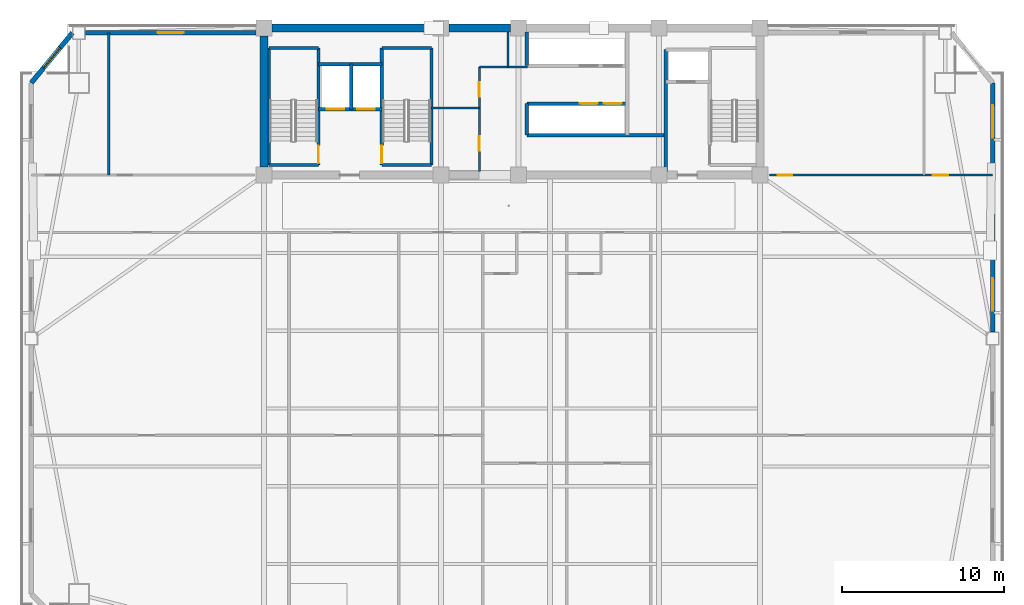
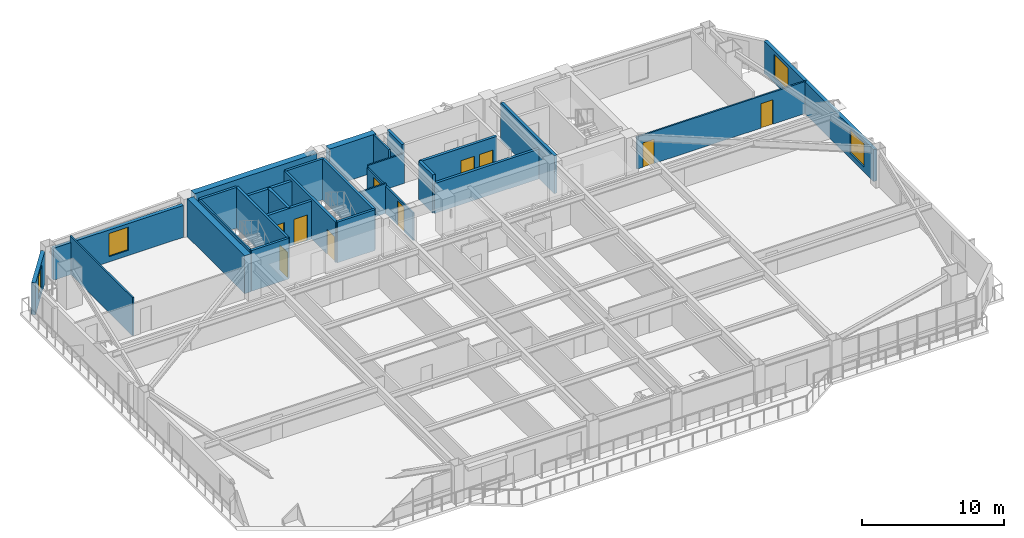
# One storey, part 9 of 15: 28 walls, 10 doors, 4 windows, 14 openings.
"""IFC4 building model written with IfcOpenShell, lengths in metres."""

from ifc_helpers import new_model, si_unit, direction, frame, frame_2d, origin, place, context, subcontext, project, spatial, rectangle, extrude, source, transform, mapped, material, layer, layer_set, type_object, element, fill, save


model = new_model("IFC4")

# Units and contexts
model_context = context("Model", 3, precision=1e-05, world=origin(), true_north=direction((0.0, 1.0)))
body_context = subcontext(model_context, "Body", "Model", "MODEL_VIEW")
ifc_project = project(units=[si_unit("LENGTHUNIT", "METRE"), si_unit("AREAUNIT", "SQUARE_METRE"), si_unit("VOLUMEUNIT", "CUBIC_METRE"), si_unit("PLANEANGLEUNIT", "RADIAN"), si_unit("MASSUNIT", "GRAM", prefix="KILO")], contexts=[model_context])

# Site, building, storey
site_placement = place(None, origin())
site = spatial("IfcSite", under=ifc_project, at=site_placement, CompositionType="ELEMENT")
building_placement = place(site_placement, origin())
building = spatial("IfcBuilding", under=site, at=building_placement, Name="Giltprow Tower", CompositionType="ELEMENT")
storey_placement = place(building_placement, frame((0.0, 0.0, 152.699951171875)))
storey = spatial("IfcBuildingStorey", under=building, at=storey_placement, Name="L37", CompositionType="ELEMENT", Elevation=152.699951171875)

# Wall, opening, window
ifc_material_1 = material(Name="Precast concrete C40", Category="concrete")
ifc_layer_1 = layer(ifc_material_1, 0.300048828125, Name="Precast concrete C40")
ifc_layer_set_1 = layer_set([ifc_layer_1], Name="Precast concrete C40")
wall_type_1 = type_object("IfcWallType", Name="EW-NOTCH-CHAMFER-300", PredefinedType="SOLIDWALL", material=ifc_layer_set_1)
wall_1_placement = place(storey_placement, frame((7.988037109375, 46.25, 0.0), z_axis=(0.0, 0.0, 1.0), x_axis=(-0.634975058906, -0.772532636571, 0.0)))
wall_1 = element("IfcWall", 1, at=wall_1_placement, inside=storey, type_object=wall_type_1, Name="L37 Corner Notch Wall NW", PredefinedType="SOLIDWALL", context=body_context, shape_type="SweptSolid", body=[
    extrude(rectangle(XDim=3.998779296875, YDim=0.300048828125, at=frame_2d((1.99951171875, 0.0))), origin(), (0.0, 0.0, 1.0), 2.75),
])
opening_1_placement = place(wall_1_placement, frame((1.198974609375, 0.0, 0.449951171875)))
opening_1 = element("IfcOpeningElement", 2, at=opening_1_placement, cuts=wall_1, Name="Opening WN17", PredefinedType="OPENING", context=body_context, shape_type="SweptSolid", body=[
    extrude(rectangle(XDim=1.60009765625, YDim=2.0, at=frame_2d((0.800048828125, 1.0))), frame((0.0, 0.159912109375, 0.0), z_axis=(0.0, -1.0, 0.0), x_axis=(1.0, 0.0, 0.0)), (0.0, 0.0, 1.0), 0.320068359375),
])
ifc_material_2 = material(Name="Insulated glass", Category="glass")
window_type_1 = type_object("IfcWindowType", Name="WN-COR-1600x2000", PartitioningType="SINGLE_PANEL", PredefinedType="WINDOW", material=ifc_material_2)
shared_shape_1 = source(origin(), body_context, "Body", "SweptSolid", [
    extrude(rectangle(XDim=1.60009765625, YDim=2.0, at=frame_2d((0.800048828125, 1.0))), frame((0.0, 0.030029296875, 0.0), z_axis=(0.0, -1.0, 0.0), x_axis=(1.0, 0.0, 0.0)), (0.0, 0.0, 1.0), 0.06005859375),
])
window_1_placement = place(opening_1_placement, origin())
window_1 = element("IfcWindow", 3, at=window_1_placement, inside=storey, type_object=window_type_1, Name="L37 Corner Notch Window NW", OverallHeight=2.0, OverallWidth=1.60009765625, PartitioningType="SINGLE_PANEL", PredefinedType="WINDOW", context=body_context, shape_type="MappedRepresentation", body=[
    mapped(shared_shape_1, transform((0.0, 0.0, 0.0), x_axis=(1.0, 0.0, 0.0), y_axis=(0.0, 1.0, 0.0), z_axis=(0.0, 0.0, 1.0), scale=1.0)),
])
fill(opening_1, window_1)

# Wall, openings, windows
ifc_layer_2 = layer(ifc_material_1, 0.280029296875, Name="Precast concrete C40")
ifc_layer_set_2 = layer_set([ifc_layer_2], Name="Precast concrete C40")
wall_type_2 = type_object("IfcWallType", Name="EW-TOW-BRONZE-280", PredefinedType="SOLIDWALL", material=ifc_layer_set_2)
wall_2_placement = place(storey_placement, frame((64.950927734375, 27.736083984375, 0.0), z_axis=(0.0, 0.0, 1.0), x_axis=(0.0, 1.0, 0.0)))
wall_2 = element("IfcWall", 4, at=wall_2_placement, inside=storey, type_object=wall_type_2, Name="L37 E Wing Masonry Wall 2", PredefinedType="SOLIDWALL", context=body_context, shape_type="SweptSolid", body=[
    extrude(rectangle(XDim=15.4248046875, YDim=0.280029296875, at=frame_2d((7.71240234375, 0.0))), origin(), (0.0, 0.0, 1.0), 2.75),
])
opening_2_placement = place(wall_2_placement, frame((1.324951171875, 0.0, 0.449951171875)))
opening_2 = element("IfcOpeningElement", 5, at=opening_2_placement, cuts=wall_2, Name="Opening WN21", PredefinedType="OPENING", context=body_context, shape_type="SweptSolid", body=[
    extrude(rectangle(XDim=2.0, YDim=2.0, at=frame_2d((1.0, 1.0))), frame((0.0, 0.14990234375, 0.0), z_axis=(0.0, -1.0, 0.0), x_axis=(1.0, 0.0, 0.0)), (0.0, 0.0, 1.0), 0.300048828125),
])
opening_3_placement = place(wall_2_placement, frame((12.031005859375, 0.0, 0.449951171875)))
opening_3 = element("IfcOpeningElement", 6, at=opening_3_placement, cuts=wall_2, Name="Opening WN21", PredefinedType="OPENING", context=body_context, shape_type="SweptSolid", body=[
    extrude(rectangle(XDim=2.0, YDim=2.0, at=frame_2d((1.0, 1.0))), frame((0.0, 0.14990234375, 0.0), z_axis=(0.0, -1.0, 0.0), x_axis=(1.0, 0.0, 0.0)), (0.0, 0.0, 1.0), 0.300048828125),
])
window_type_2 = type_object("IfcWindowType", Name="WN-HTL-2000x2000", PartitioningType="DOUBLE_PANEL_VERTICAL", PredefinedType="WINDOW", material=ifc_material_2)
shared_shape_2 = source(origin(), body_context, "Body", "SweptSolid", [
    extrude(rectangle(XDim=2.0, YDim=2.0, at=frame_2d((1.0, 1.0))), frame((0.0, 0.030029296875, 0.0), z_axis=(0.0, -1.0, 0.0), x_axis=(1.0, 0.0, 0.0)), (0.0, 0.0, 1.0), 0.06005859375),
])
window_2_placement = place(opening_2_placement, origin())
window_2 = element("IfcWindow", 7, at=window_2_placement, inside=storey, type_object=window_type_2, Name="L37 E Wing Window 2-1", OverallHeight=2.0, OverallWidth=2.0, PartitioningType="SINGLE_PANEL", PredefinedType="WINDOW", context=body_context, shape_type="MappedRepresentation", body=[
    mapped(shared_shape_2, transform((0.0, 0.0, 0.0), x_axis=(1.0, 0.0, 0.0), y_axis=(0.0, 1.0, 0.0), z_axis=(0.0, 0.0, 1.0), scale=1.0)),
])
fill(opening_2, window_2)
window_3_placement = place(opening_3_placement, origin())
window_3 = element("IfcWindow", 8, at=window_3_placement, inside=storey, type_object=window_type_2, Name="L37 E Wing Window 2-2", OverallHeight=2.0, OverallWidth=2.0, PartitioningType="SINGLE_PANEL", PredefinedType="WINDOW", context=body_context, shape_type="MappedRepresentation", body=[
    mapped(shared_shape_2, transform((0.0, 0.0, 0.0), x_axis=(1.0, 0.0, 0.0), y_axis=(0.0, 1.0, 0.0), z_axis=(0.0, 0.0, 1.0), scale=1.0)),
])
fill(opening_3, window_3)

# Wall, opening, window
wall_3_placement = place(storey_placement, frame((8.7880859375, 46.25, 0.0), z_axis=(0.0, 0.0, 1.0), x_axis=(1.0, 0.0, 0.0)))
wall_3 = element("IfcWall", 9, at=wall_3_placement, inside=storey, type_object=wall_type_2, Name="L37 North-West Wing Wall", PredefinedType="SOLIDWALL", context=body_context, shape_type="SweptSolid", body=[
    extrude(rectangle(XDim=10.56201171875, YDim=0.280029296875, at=frame_2d((5.281005859375, 0.0))), origin(), (0.0, 0.0, 1.0), 2.75),
])
opening_4_placement = place(wall_3_placement, frame((4.48095703125, 0.0, 0.449951171875)))
opening_4 = element("IfcOpeningElement", 10, at=opening_4_placement, cuts=wall_3, Name="Opening WN17", PredefinedType="OPENING", context=body_context, shape_type="SweptSolid", body=[
    extrude(rectangle(XDim=1.60009765625, YDim=2.0, at=frame_2d((0.800048828125, 1.0))), frame((0.0, 0.14990234375, 0.0), z_axis=(0.0, -1.0, 0.0), x_axis=(1.0, 0.0, 0.0)), (0.0, 0.0, 1.0), 0.300048828125),
])
window_4_placement = place(opening_4_placement, origin())
window_4 = element("IfcWindow", 11, at=window_4_placement, inside=storey, type_object=window_type_1, Name="L37 North-West Window", OverallHeight=2.0, OverallWidth=1.60009765625, PartitioningType="SINGLE_PANEL", PredefinedType="WINDOW", context=body_context, shape_type="MappedRepresentation", body=[
    mapped(shared_shape_1, transform((0.0, 0.0, 0.0), x_axis=(1.0, 0.0, 0.0), y_axis=(0.0, 1.0, 0.0), z_axis=(0.0, 0.0, 1.0), scale=1.0)),
])
fill(opening_4, window_4)

# Wall, openings, doors
ifc_material_3 = material(Name="Concrete C40", Category="concrete")
ifc_layer_3 = layer(ifc_material_3, 0.219970703125, Name="Concrete C40")
ifc_layer_set_3 = layer_set([ifc_layer_3], Name="Concrete C40")
wall_type_3 = type_object("IfcWallType", Name="IW-SHAFT-220", PredefinedType="SOLIDWALL", material=ifc_layer_set_3)
wall_4_placement = place(storey_placement, frame((23.219970703125, 41.52001953125, 0.0), z_axis=(0.0, 0.0, 1.0), x_axis=(1.0, 0.0, 0.0)))
wall_4 = element("IfcWall", 12, at=wall_4_placement, inside=storey, type_object=wall_type_3, Name="L37 FFL1 and Service Lift Front Wall", PredefinedType="SOLIDWALL", context=body_context, shape_type="SweptSolid", body=[
    extrude(rectangle(XDim=3.919921875, YDim=0.219970703125, at=frame_2d((1.9599609375, 0.0))), origin(), (0.0, 0.0, 1.0), 3.27001953125),
])
opening_5_placement = place(wall_4_placement, frame((0.5, 0.0, 0.0)))
opening_5 = element("IfcOpeningElement", 13, at=opening_5_placement, cuts=wall_4, Name="Opening LD-11", PredefinedType="OPENING", context=body_context, shape_type="SweptSolid", body=[
    extrude(rectangle(XDim=1.10009765625, YDim=2.199951171875, at=frame_2d((0.550048828125, 1.10009765625))), frame((0.0, 0.119873046875, 0.0), z_axis=(0.0, -1.0, 0.0), x_axis=(1.0, 0.0, 0.0)), (0.0, 0.0, 1.0), 0.239990234375),
])
opening_6_placement = place(wall_4_placement, frame((2.39990234375, 0.0, 0.0)))
opening_6 = element("IfcOpeningElement", 14, at=opening_6_placement, cuts=wall_4, Name="Opening LD-11", PredefinedType="OPENING", context=body_context, shape_type="SweptSolid", body=[
    extrude(rectangle(XDim=1.10009765625, YDim=2.199951171875, at=frame_2d((0.550048828125, 1.10009765625))), frame((0.0, 0.119873046875, 0.0), z_axis=(0.0, -1.0, 0.0), x_axis=(1.0, 0.0, 0.0)), (0.0, 0.0, 1.0), 0.239990234375),
])
ifc_material_4 = material(Name="Stainless steel", Category="steel")
door_type_1 = type_object("IfcDoorType", Name="DR-LIFT-LD1100", OperationType="SLIDING_TO_LEFT", PredefinedType="DOOR", material=ifc_material_4)
shared_shape_3 = source(origin(), body_context, "Body", "SweptSolid", [
    extrude(rectangle(XDim=1.10009765625, YDim=2.199951171875, at=frame_2d((0.550048828125, 1.10009765625))), frame((0.0, 0.02490234375, 0.0), z_axis=(0.0, -1.0, 0.0), x_axis=(1.0, 0.0, 0.0)), (0.0, 0.0, 1.0), 0.050048828125),
])
door_1_placement = place(opening_5_placement, origin())
door_1 = element("IfcDoor", 15, at=door_1_placement, inside=storey, type_object=door_type_1, Name="L37 FFL1 Landing Door", OperationType="SLIDING_TO_LEFT", OverallHeight=2.199951171875, OverallWidth=1.10009765625, PredefinedType="DOOR", context=body_context, shape_type="MappedRepresentation", body=[
    mapped(shared_shape_3, transform((0.0, 0.0, 0.0), x_axis=(1.0, 0.0, 0.0), y_axis=(0.0, 1.0, 0.0), z_axis=(0.0, 0.0, 1.0), scale=1.0)),
])
fill(opening_5, door_1)
door_2_placement = place(opening_6_placement, origin())
door_2 = element("IfcDoor", 16, at=door_2_placement, inside=storey, type_object=door_type_1, Name="L37 SVL1 Landing Door", OperationType="SLIDING_TO_LEFT", OverallHeight=2.199951171875, OverallWidth=1.10009765625, PredefinedType="DOOR", context=body_context, shape_type="MappedRepresentation", body=[
    mapped(shared_shape_3, transform((0.0, 0.0, 0.0), x_axis=(1.0, 0.0, 0.0), y_axis=(0.0, 1.0, 0.0), z_axis=(0.0, 0.0, 1.0), scale=1.0)),
])
fill(opening_6, door_2)

# Walls
wall_5_placement = place(storey_placement, frame((25.260009765625, 41.52001953125, 0.0), z_axis=(0.0, 0.0, 1.0), x_axis=(0.0, 1.0, 0.0)))
element("IfcWall", 17, at=wall_5_placement, inside=storey, type_object=wall_type_3, Name="L37 FFL1-SVL1 Shaft Divider", PredefinedType="SOLIDWALL", context=body_context, shape_type="SweptSolid", body=[
    extrude(rectangle(XDim=2.800048828125, YDim=0.219970703125, at=frame_2d((1.39990234375, 0.0))), origin(), (0.0, 0.0, 1.0), 3.27001953125),
])
wall_6_placement = place(storey_placement, frame((23.219970703125, 44.320068359375, 0.0), z_axis=(0.0, 0.0, 1.0), x_axis=(1.0, 0.0, 0.0)))
element("IfcWall", 18, at=wall_6_placement, inside=storey, type_object=wall_type_3, Name="L37 FFL1-SVL1 Back Shaft Wall", PredefinedType="SOLIDWALL", context=body_context, shape_type="SweptSolid", body=[
    extrude(rectangle(XDim=3.919921875, YDim=0.219970703125, at=frame_2d((1.9599609375, 0.0))), origin(), (0.0, 0.0, 1.0), 3.27001953125),
])
wall_7_placement = place(storey_placement, frame((44.719970703125, 37.679931640625, 0.0), z_axis=(0.0, 0.0, 1.0), x_axis=(0.0, 1.0, 0.0)))
element("IfcWall", 19, at=wall_7_placement, inside=storey, type_object=wall_type_3, Name="L37 East Firefighting Lobby West Wall", PredefinedType="SOLIDWALL", context=body_context, shape_type="SweptSolid", body=[
    extrude(rectangle(XDim=7.5400390625, YDim=0.219970703125, at=frame_2d((3.77001953125, 0.0))), origin(), (0.0, 0.0, 1.0), 3.27001953125),
])

# Wall, openings, doors
wall_8_placement = place(storey_placement, frame((36.1201171875, 41.8798828125, 0.0), z_axis=(0.0, 0.0, 1.0), x_axis=(1.0, 0.0, 0.0)))
wall_8 = element("IfcWall", 20, at=wall_8_placement, inside=storey, type_object=wall_type_3, Name="L37 Mid-Rise Lift Shaft Front Wall S", PredefinedType="SOLIDWALL", context=body_context, shape_type="SweptSolid", body=[
    extrude(rectangle(XDim=6.199951171875, YDim=0.219970703125, at=frame_2d((3.10009765625, 0.0))), origin(), (0.0, 0.0, 1.0), 3.27001953125),
])
opening_7_placement = place(wall_8_placement, frame((3.280029296875, 0.0, 0.0)))
opening_7 = element("IfcOpeningElement", 21, at=opening_7_placement, cuts=wall_8, Name="Opening LD-11", PredefinedType="OPENING", context=body_context, shape_type="SweptSolid", body=[
    extrude(rectangle(XDim=1.10009765625, YDim=2.199951171875, at=frame_2d((0.550048828125, 1.10009765625))), frame((0.0, 0.119873046875, 0.0), z_axis=(0.0, -1.0, 0.0), x_axis=(1.0, 0.0, 0.0)), (0.0, 0.0, 1.0), 0.239990234375),
])
opening_8_placement = place(wall_8_placement, frame((4.77001953125, 0.0, 0.0)))
opening_8 = element("IfcOpeningElement", 22, at=opening_8_placement, cuts=wall_8, Name="Opening LD-11", PredefinedType="OPENING", context=body_context, shape_type="SweptSolid", body=[
    extrude(rectangle(XDim=1.10009765625, YDim=2.199951171875, at=frame_2d((0.550048828125, 1.10009765625))), frame((0.0, 0.119873046875, 0.0), z_axis=(0.0, -1.0, 0.0), x_axis=(1.0, 0.0, 0.0)), (0.0, 0.0, 1.0), 0.239990234375),
])
door_3_placement = place(opening_7_placement, origin())
door_3 = element("IfcDoor", 23, at=door_3_placement, inside=storey, type_object=door_type_1, Name="L37 PL-M3 Landing Door", OperationType="SLIDING_TO_LEFT", OverallHeight=2.199951171875, OverallWidth=1.10009765625, PredefinedType="DOOR", context=body_context, shape_type="MappedRepresentation", body=[
    mapped(shared_shape_3, transform((0.0, 0.0, 0.0), x_axis=(1.0, 0.0, 0.0), y_axis=(0.0, 1.0, 0.0), z_axis=(0.0, 0.0, 1.0), scale=1.0)),
])
fill(opening_7, door_3)
door_4_placement = place(opening_8_placement, origin())
door_4 = element("IfcDoor", 24, at=door_4_placement, inside=storey, type_object=door_type_1, Name="L37 PL-M4 Landing Door", OperationType="SLIDING_TO_LEFT", OverallHeight=2.199951171875, OverallWidth=1.10009765625, PredefinedType="DOOR", context=body_context, shape_type="MappedRepresentation", body=[
    mapped(shared_shape_3, transform((0.0, 0.0, 0.0), x_axis=(1.0, 0.0, 0.0), y_axis=(0.0, 1.0, 0.0), z_axis=(0.0, 0.0, 1.0), scale=1.0)),
])
fill(opening_8, door_4)

# Walls
wall_9_placement = place(storey_placement, frame((36.1201171875, 39.919921875, 0.0), z_axis=(0.0, 0.0, 1.0), x_axis=(1.0, 0.0, 0.0)))
element("IfcWall", 25, at=wall_9_placement, inside=storey, type_object=wall_type_3, Name="L37 Mid-Rise South Lift Back Wall", PredefinedType="SOLIDWALL", context=body_context, shape_type="SweptSolid", body=[
    extrude(rectangle(XDim=8.599853515625, YDim=0.219970703125, at=frame_2d((4.2998046875, 0.0))), origin(), (0.0, 0.0, 1.0), 2.554931640625),
])
wall_10_placement = place(storey_placement, frame((36.1201171875, 39.919921875, 0.0), z_axis=(0.0, 0.0, 1.0), x_axis=(0.0, 1.0, 0.0)))
element("IfcWall", 26, at=wall_10_placement, inside=storey, type_object=wall_type_3, Name="L37 Mid-Rise South Lift West Closure", PredefinedType="SOLIDWALL", context=body_context, shape_type="SweptSolid", body=[
    extrude(rectangle(XDim=1.9599609375, YDim=0.219970703125, at=frame_2d((0.97998046875, 0.0))), origin(), (0.0, 0.0, 1.0), 3.27001953125),
])
wall_11_placement = place(storey_placement, frame((36.1201171875, 44.219970703125, 0.0), z_axis=(0.0, 0.0, 1.0), x_axis=(0.0, 1.0, 0.0)))
element("IfcWall", 27, at=wall_11_placement, inside=storey, type_object=wall_type_3, Name="L37 Mid-Rise North Lift West Closure", PredefinedType="SOLIDWALL", context=body_context, shape_type="SweptSolid", body=[
    extrude(rectangle(XDim=2.10009765625, YDim=0.219970703125, at=frame_2d((1.050048828125, 0.0))), origin(), (0.0, 0.0, 1.0), 3.27001953125),
])
ifc_material_5 = material(Name="Concrete C45", Category="concrete")
ifc_layer_4 = layer(ifc_material_5, 0.139892578125, Name="Concrete C45")
ifc_layer_set_4 = layer_set([ifc_layer_4], Name="Concrete C45")
wall_type_4 = type_object("IfcWallType", Name="IW-STAIR-140", PredefinedType="SOLIDWALL", material=ifc_layer_set_4)
wall_12_placement = place(storey_placement, frame((20.169921875, 38.070068359375, 0.0), z_axis=(0.0, 0.0, 1.0), x_axis=(0.0, 1.0, 0.0)))
element("IfcWall", 28, at=wall_12_placement, inside=storey, type_object=wall_type_4, Name="L37 Stair ST-1 West Bearing Wall", PredefinedType="SOLIDWALL", context=body_context, shape_type="SweptSolid", body=[
    extrude(rectangle(XDim=7.25, YDim=0.139892578125, at=frame_2d((3.625, 0.0))), origin(), (0.0, 0.0, 1.0), 3.5),
])

# Wall, opening, door
ifc_layer_5 = layer(ifc_material_3, 0.199951171875, Name="Concrete C40")
ifc_layer_set_5 = layer_set([ifc_layer_5], Name="Concrete C40")
wall_type_5 = type_object("IfcWallType", Name="IW-STAIR-200", PredefinedType="SOLIDWALL", material=ifc_layer_set_5)
wall_13_placement = place(storey_placement, frame((23.219970703125, 38.070068359375, 0.0), z_axis=(0.0, 0.0, 1.0), x_axis=(0.0, 1.0, 0.0)))
wall_13 = element("IfcWall", 29, at=wall_13_placement, inside=storey, type_object=wall_type_5, Name="L37 Stair ST-1 East Bearing Wall", PredefinedType="SOLIDWALL", context=body_context, shape_type="SweptSolid", body=[
    extrude(rectangle(XDim=7.25, YDim=0.199951171875, at=frame_2d((3.625, 0.0))), origin(), (0.0, 0.0, 1.0), 3.5),
])
opening_9_placement = place(wall_13_placement, frame((0.110107421875, 0.0, 0.0)))
opening_9 = element("IfcOpeningElement", 30, at=opening_9_placement, cuts=wall_13, Name="Opening ID33", PredefinedType="OPENING", context=body_context, shape_type="SweptSolid", body=[
    extrude(rectangle(XDim=1.10009765625, YDim=2.14990234375, at=frame_2d((0.550048828125, 1.074951171875))), frame((0.0, 0.10986328125, 0.0), z_axis=(0.0, -1.0, 0.0), x_axis=(1.0, 0.0, 0.0)), (0.0, 0.0, 1.0), 0.219970703125),
])
ifc_material_6 = material(Name="Steel fire leaf", Category="steel")
door_type_2 = type_object("IfcDoorType", Name="DR-STAIR-1100", OperationType="SINGLE_SWING_LEFT", PredefinedType="DOOR", material=ifc_material_6)
shared_shape_4 = source(origin(), body_context, "Body", "SweptSolid", [
    extrude(rectangle(XDim=1.10009765625, YDim=2.14990234375, at=frame_2d((0.550048828125, 1.074951171875))), frame((0.0, 0.02490234375, 0.0), z_axis=(0.0, -1.0, 0.0), x_axis=(1.0, 0.0, 0.0)), (0.0, 0.0, 1.0), 0.050048828125),
])
door_5_placement = place(opening_9_placement, origin())
door_5 = element("IfcDoor", 31, at=door_5_placement, inside=storey, type_object=door_type_2, Name="L37 Stair ST-1 Fire Door", OperationType="SINGLE_SWING_LEFT", OverallHeight=2.14990234375, OverallWidth=1.10009765625, PredefinedType="DOOR", context=body_context, shape_type="MappedRepresentation", body=[
    mapped(shared_shape_4, transform((0.0, 0.0, 0.0), x_axis=(1.0, 0.0, 0.0), y_axis=(0.0, 1.0, 0.0), z_axis=(0.0, 0.0, 1.0), scale=1.0)),
])
fill(opening_9, door_5)

# Walls
for number, where, z_axis, x_axis, name in (
    (32, (20.169921875, 45.320068359375, 0.0), (0.0, 0.0, 1.0), (1.0, 0.0, 0.0), "L37 Stair ST-1 North Bearing Wall"),
    (33, (20.169921875, 38.070068359375, 0.0), (0.0, 0.0, 1.0), (1.0, 0.0, 0.0), "L37 Stair ST-1 South Bearing Wall"),
):
    element("IfcWall", number, at=place(storey_placement, frame(where, z_axis=z_axis, x_axis=x_axis)), inside=storey, type_object=wall_type_5, Name=name, PredefinedType="SOLIDWALL", context=body_context, shape_type="SweptSolid", body=[
        extrude(rectangle(XDim=3.050048828125, YDim=0.199951171875, at=frame_2d((1.52490234375, 0.0))), origin(), (0.0, 0.0, 1.0), 3.5),
    ])

# Wall, opening, door
wall_14_placement = place(storey_placement, frame((27.139892578125, 38.070068359375, 0.0), z_axis=(0.0, 0.0, 1.0), x_axis=(0.0, 1.0, 0.0)))
wall_14 = element("IfcWall", 34, at=wall_14_placement, inside=storey, type_object=wall_type_5, Name="L37 Stair ST-2 West Bearing Wall", PredefinedType="SOLIDWALL", context=body_context, shape_type="SweptSolid", body=[
    extrude(rectangle(XDim=7.25, YDim=0.199951171875, at=frame_2d((3.625, 0.0))), origin(), (0.0, 0.0, 1.0), 3.5),
])
opening_10_placement = place(wall_14_placement, frame((0.110107421875, 0.0, 0.0)))
opening_10 = element("IfcOpeningElement", 35, at=opening_10_placement, cuts=wall_14, Name="Opening ID33", PredefinedType="OPENING", context=body_context, shape_type="SweptSolid", body=[
    extrude(rectangle(XDim=1.10009765625, YDim=2.14990234375, at=frame_2d((0.550048828125, 1.074951171875))), frame((0.0, 0.10986328125, 0.0), z_axis=(0.0, -1.0, 0.0), x_axis=(1.0, 0.0, 0.0)), (0.0, 0.0, 1.0), 0.219970703125),
])
door_6_placement = place(opening_10_placement, origin())
door_6 = element("IfcDoor", 36, at=door_6_placement, inside=storey, type_object=door_type_2, Name="L37 Stair ST-2 Fire Door", OperationType="SINGLE_SWING_RIGHT", OverallHeight=2.14990234375, OverallWidth=1.10009765625, PredefinedType="DOOR", context=body_context, shape_type="MappedRepresentation", body=[
    mapped(shared_shape_4, transform((0.0, 0.0, 0.0), x_axis=(1.0, 0.0, 0.0), y_axis=(0.0, 1.0, 0.0), z_axis=(0.0, 0.0, 1.0), scale=1.0)),
])
fill(opening_10, door_6)

# Walls
wall_15_placement = place(storey_placement, frame((30.219970703125, 38.070068359375, 0.0), z_axis=(0.0, 0.0, 1.0), x_axis=(0.0, 1.0, 0.0)))
element("IfcWall", 37, at=wall_15_placement, inside=storey, type_object=wall_type_5, Name="L37 Stair ST-2 East Bearing Wall", PredefinedType="SOLIDWALL", context=body_context, shape_type="SweptSolid", body=[
    extrude(rectangle(XDim=7.25, YDim=0.199951171875, at=frame_2d((3.625, 0.0))), origin(), (0.0, 0.0, 1.0), 3.5),
])
for number, where, z_axis, x_axis, name in (
    (38, (27.139892578125, 45.320068359375, 0.0), (0.0, 0.0, 1.0), (1.0, 0.0, 0.0), "L37 Stair ST-2 North Bearing Wall"),
    (39, (27.139892578125, 38.070068359375, 0.0), (0.0, 0.0, 1.0), (1.0, 0.0, 0.0), "L37 Stair ST-2 South Bearing Wall"),
):
    element("IfcWall", number, at=place(storey_placement, frame(where, z_axis=z_axis, x_axis=x_axis)), inside=storey, type_object=wall_type_5, Name=name, PredefinedType="SOLIDWALL", context=body_context, shape_type="SweptSolid", body=[
        extrude(rectangle(XDim=3.080078125, YDim=0.199951171875, at=frame_2d((1.5400390625, 0.0))), origin(), (0.0, 0.0, 1.0), 3.5),
    ])

# Wall, openings, doors
ifc_material_7 = material(Name="Concrete C30", Category="concrete")
ifc_layer_6 = layer(ifc_material_7, 0.1298828125, Name="Concrete C30")
ifc_layer_set_6 = layer_set([ifc_layer_6], Name="Concrete C30")
wall_type_6 = type_object("IfcWallType", Name="IW-WET-130", PredefinedType="PARTITIONING", material=ifc_layer_set_6)
wall_16_placement = place(storey_placement, frame((33.179931640625, 37.679931640625, 0.0), z_axis=(0.0, 0.0, 1.0), x_axis=(0.0, 1.0, 0.0)))
wall_16 = element("IfcWall", 40, at=wall_16_placement, inside=storey, type_object=wall_type_6, Name="L37 Reclaimed Core Room East Wall", PredefinedType="PARTITIONING", context=body_context, shape_type="SweptSolid", body=[
    extrude(rectangle(XDim=6.469970703125, YDim=0.1298828125, at=frame_2d((3.23486328125, 0.0))), origin(), (0.0, 0.0, 1.0), 2.35498046875),
])
opening_11_placement = place(wall_16_placement, frame((1.27001953125, 0.0, 0.0)))
opening_11 = element("IfcOpeningElement", 41, at=opening_11_placement, cuts=wall_16, Name="Opening ID35", PredefinedType="OPENING", context=body_context, shape_type="SweptSolid", body=[
    extrude(rectangle(XDim=0.89990234375, YDim=2.10009765625, at=frame_2d((0.449951171875, 1.050048828125))), frame((0.0, 0.074951171875, 0.0), z_axis=(0.0, -1.0, 0.0), x_axis=(1.0, 0.0, 0.0)), (0.0, 0.0, 1.0), 0.14990234375),
])
opening_12_placement = place(wall_16_placement, frame((4.6201171875, 0.0, 0.0)))
opening_12 = element("IfcOpeningElement", 42, at=opening_12_placement, cuts=wall_16, Name="Opening ID35", PredefinedType="OPENING", context=body_context, shape_type="SweptSolid", body=[
    extrude(rectangle(XDim=0.89990234375, YDim=2.10009765625, at=frame_2d((0.449951171875, 1.050048828125))), frame((0.0, 0.074951171875, 0.0), z_axis=(0.0, -1.0, 0.0), x_axis=(1.0, 0.0, 0.0)), (0.0, 0.0, 1.0), 0.14990234375),
])
door_type_3 = type_object("IfcDoorType", Name="DR-SHAFT-900", OperationType="SINGLE_SWING_LEFT", PredefinedType="DOOR", material=ifc_material_6)
shared_shape_5 = source(origin(), body_context, "Body", "SweptSolid", [
    extrude(rectangle(XDim=0.89990234375, YDim=2.10009765625, at=frame_2d((0.449951171875, 1.050048828125))), frame((0.0, 0.02490234375, 0.0), z_axis=(0.0, -1.0, 0.0), x_axis=(1.0, 0.0, 0.0)), (0.0, 0.0, 1.0), 0.050048828125),
])
door_7_placement = place(opening_11_placement, origin())
door_7 = element("IfcDoor", 43, at=door_7_placement, inside=storey, type_object=door_type_3, Name="L37 Housekeeping Room Door", OperationType="SINGLE_SWING_RIGHT", OverallHeight=2.10009765625, OverallWidth=0.89990234375, PredefinedType="DOOR", context=body_context, shape_type="MappedRepresentation", body=[
    mapped(shared_shape_5, transform((0.0, 0.0, 0.0), x_axis=(1.0, 0.0, 0.0), y_axis=(0.0, 1.0, 0.0), z_axis=(0.0, 0.0, 1.0), scale=1.0)),
])
fill(opening_11, door_7)
door_8_placement = place(opening_12_placement, origin())
door_8 = element("IfcDoor", 44, at=door_8_placement, inside=storey, type_object=door_type_3, Name="L37 Core Staff Washroom Door", OperationType="SINGLE_SWING_LEFT", OverallHeight=2.10009765625, OverallWidth=0.89990234375, PredefinedType="DOOR", context=body_context, shape_type="MappedRepresentation", body=[
    mapped(shared_shape_5, transform((0.0, 0.0, 0.0), x_axis=(1.0, 0.0, 0.0), y_axis=(0.0, 1.0, 0.0), z_axis=(0.0, 0.0, 1.0), scale=1.0)),
])
fill(opening_12, door_8)

# Walls
wall_17_placement = place(storey_placement, frame((34.949951171875, 44.14990234375, 0.0), z_axis=(0.0, 0.0, 1.0), x_axis=(0.0, 1.0, 0.0)))
element("IfcWall", 45, at=wall_17_placement, inside=storey, type_object=wall_type_6, Name="L37 Reclaimed North Pocket East Wall", PredefinedType="PARTITIONING", context=body_context, shape_type="SweptSolid", body=[
    extrude(rectangle(XDim=2.170166015625, YDim=0.1298828125, at=frame_2d((1.0849609375, 0.0))), origin(), (0.0, 0.0, 1.0), 3.27001953125),
])
wall_18_placement = place(storey_placement, frame((33.179931640625, 44.14990234375, 0.0), z_axis=(0.0, 0.0, 1.0), x_axis=(1.0, 0.0, 0.0)))
element("IfcWall", 46, at=wall_18_placement, inside=storey, type_object=wall_type_6, Name="L37 Reclaimed North Pocket South Wall", PredefinedType="PARTITIONING", context=body_context, shape_type="SweptSolid", body=[
    extrude(rectangle(XDim=2.969970703125, YDim=0.1298828125, at=frame_2d((1.48486328125, 0.0))), origin(), (0.0, 0.0, 1.0), 2.554931640625),
])
wall_19_placement = place(storey_placement, frame((30.219970703125, 41.60009765625, 0.0), z_axis=(0.0, 0.0, 1.0), x_axis=(1.0, 0.0, 0.0)))
element("IfcWall", 47, at=wall_19_placement, inside=storey, type_object=wall_type_6, Name="L37 Core Housekeeping Split", PredefinedType="PARTITIONING", context=body_context, shape_type="SweptSolid", body=[
    extrude(rectangle(XDim=2.9599609375, YDim=0.1298828125, at=frame_2d((1.47998046875, 0.0))), origin(), (0.0, 0.0, 1.0), 2.554931640625),
])
wall_20_placement = place(storey_placement, frame((10.239013671875, 37.449951171875, 0.0), z_axis=(0.0, 0.0, 1.0), x_axis=(0.0, 1.0, 0.0)))
element("IfcWall", 48, at=wall_20_placement, inside=storey, type_object=wall_type_6, Name="L37 NW Wing Divider", PredefinedType="PARTITIONING", context=body_context, shape_type="SweptSolid", body=[
    extrude(rectangle(XDim=8.800048828125, YDim=0.1298828125, at=frame_2d((4.39990234375, 0.0))), origin(), (0.0, 0.0, 1.0), 3.27001953125),
])

# Wall, openings, doors
wall_21_placement = place(storey_placement, frame((51.14990234375, 37.449951171875, 0.0), z_axis=(0.0, 0.0, 1.0), x_axis=(1.0, 0.0, 0.0)))
wall_21 = element("IfcWall", 49, at=wall_21_placement, inside=storey, type_object=wall_type_6, Name="L37 NE Wing South Wall", PredefinedType="PARTITIONING", context=body_context, shape_type="SweptSolid", body=[
    extrude(rectangle(XDim=13.801025390625, YDim=0.1298828125, at=frame_2d((6.900390625, 0.0))), origin(), (0.0, 0.0, 1.0), 2.755126953125),
])
opening_13_placement = place(wall_21_placement, frame((0.5, 0.0, 0.0)))
opening_13 = element("IfcOpeningElement", 50, at=opening_13_placement, cuts=wall_21, Name="Opening ID15", PredefinedType="OPENING", context=body_context, shape_type="SweptSolid", body=[
    extrude(rectangle(XDim=0.89990234375, YDim=2.10009765625, at=frame_2d((0.449951171875, 1.050048828125))), frame((0.0, 0.074951171875, 0.0), z_axis=(0.0, -1.0, 0.0), x_axis=(1.0, 0.0, 0.0)), (0.0, 0.0, 1.0), 0.14990234375),
])
opening_14_placement = place(wall_21_placement, frame((10.10107421875, 0.0, 0.0)))
opening_14 = element("IfcOpeningElement", 51, at=opening_14_placement, cuts=wall_21, Name="Opening ID11", PredefinedType="OPENING", context=body_context, shape_type="SweptSolid", body=[
    extrude(rectangle(XDim=0.949951171875, YDim=2.10009765625, at=frame_2d((0.47509765625, 1.050048828125))), frame((0.0, 0.074951171875, 0.0), z_axis=(0.0, -1.0, 0.0), x_axis=(1.0, 0.0, 0.0)), (0.0, 0.0, 1.0), 0.14990234375),
])
ifc_material_8 = material(Name="Engineered timber", Category="wood")
door_type_4 = type_object("IfcDoorType", Name="DR-WC-900", OperationType="SINGLE_SWING_LEFT", PredefinedType="DOOR", material=ifc_material_8)
door_9_placement = place(opening_13_placement, origin())
door_9 = element("IfcDoor", 52, at=door_9_placement, inside=storey, type_object=door_type_4, Name="L37 East Wing Washroom Door", OperationType="SINGLE_SWING_RIGHT", OverallHeight=2.10009765625, OverallWidth=0.89990234375, PredefinedType="DOOR", context=body_context, shape_type="MappedRepresentation", body=[
    mapped(shared_shape_5, transform((0.0, 0.0, 0.0), x_axis=(1.0, 0.0, 0.0), y_axis=(0.0, 1.0, 0.0), z_axis=(0.0, 0.0, 1.0), scale=1.0)),
])
fill(opening_13, door_9)
door_type_5 = type_object("IfcDoorType", Name="DR-ROOM-950", OperationType="SINGLE_SWING_RIGHT", PredefinedType="DOOR", material=ifc_material_8)
shared_shape_6 = source(origin(), body_context, "Body", "SweptSolid", [
    extrude(rectangle(XDim=0.949951171875, YDim=2.10009765625, at=frame_2d((0.47509765625, 1.050048828125))), frame((0.0, 0.02490234375, 0.0), z_axis=(0.0, -1.0, 0.0), x_axis=(1.0, 0.0, 0.0)), (0.0, 0.0, 1.0), 0.050048828125),
])
door_10_placement = place(opening_14_placement, origin())
door_10 = element("IfcDoor", 53, at=door_10_placement, inside=storey, type_object=door_type_5, Name="L37 Hotel Floor Linen Store Door", OperationType="SINGLE_SWING_LEFT", OverallHeight=2.10009765625, OverallWidth=0.949951171875, PredefinedType="DOOR", context=body_context, shape_type="MappedRepresentation", body=[
    mapped(shared_shape_6, transform((0.0, 0.0, 0.0), x_axis=(1.0, 0.0, 0.0), y_axis=(0.0, 1.0, 0.0), z_axis=(0.0, 0.0, 1.0), scale=1.0)),
])
fill(opening_14, door_10)

# Walls
ifc_material_9 = material(Name="Concrete C50", Category="concrete")
ifc_layer_7 = layer(ifc_material_9, 0.5, Name="Concrete C50")
ifc_layer_set_7 = layer_set([ifc_layer_7], Name="Concrete C50")
wall_type_7 = type_object("IfcWallType", Name="SW-EXT-500-C50", PredefinedType="SHEAR", material=ifc_layer_set_7)
wall_22_placement = place(storey_placement, frame((20.35009765625, 46.550048828125, 0.0), z_axis=(0.0, 0.0, 1.0), x_axis=(1.0, 0.0, 0.0)))
element("IfcWall", 54, at=wall_22_placement, inside=storey, type_object=wall_type_7, Name="L37 North Rear Core Shear Wall 1", PredefinedType="SHEAR", context=body_context, shape_type="SweptSolid", body=[
    extrude(rectangle(XDim=9.949951171875, YDim=0.5, at=frame_2d((4.97509765625, 0.0))), origin(), (0.0, 0.0, 1.0), 3.27001953125),
])
wall_23_placement = place(storey_placement, frame((31.300048828125, 46.550048828125, 0.0), z_axis=(0.0, 0.0, 1.0), x_axis=(1.0, 0.0, 0.0)))
element("IfcWall", 55, at=wall_23_placement, inside=storey, type_object=wall_type_7, Name="L37 North Rear Core Shear Wall 2", PredefinedType="SHEAR", context=body_context, shape_type="SweptSolid", body=[
    extrude(rectangle(XDim=3.800048828125, YDim=0.5, at=frame_2d((1.89990234375, 0.0))), origin(), (0.0, 0.0, 1.0), 3.27001953125),
])
ifc_layer_8 = layer(ifc_material_9, 0.5, Name="Concrete C50")
ifc_layer_set_8 = layer_set([ifc_layer_8], Name="Concrete C50")
wall_type_8 = type_object("IfcWallType", Name="SW-INT-500-C50", PredefinedType="SHEAR", material=ifc_layer_set_8)
wall_24_placement = place(storey_placement, frame((19.85009765625, 37.949951171875, 0.0), z_axis=(0.0, 0.0, 1.0), x_axis=(0.0, 1.0, 0.0)))
element("IfcWall", 56, at=wall_24_placement, inside=storey, type_object=wall_type_8, Name="L37 W Rear Core Shear Wall", PredefinedType="SHEAR", context=body_context, shape_type="SweptSolid", body=[
    extrude(rectangle(XDim=8.10009765625, YDim=0.5, at=frame_2d((4.050048828125, 0.0))), origin(), (0.0, 0.0, 1.0), 3.27001953125),
])

save(model, "model.ifc")
